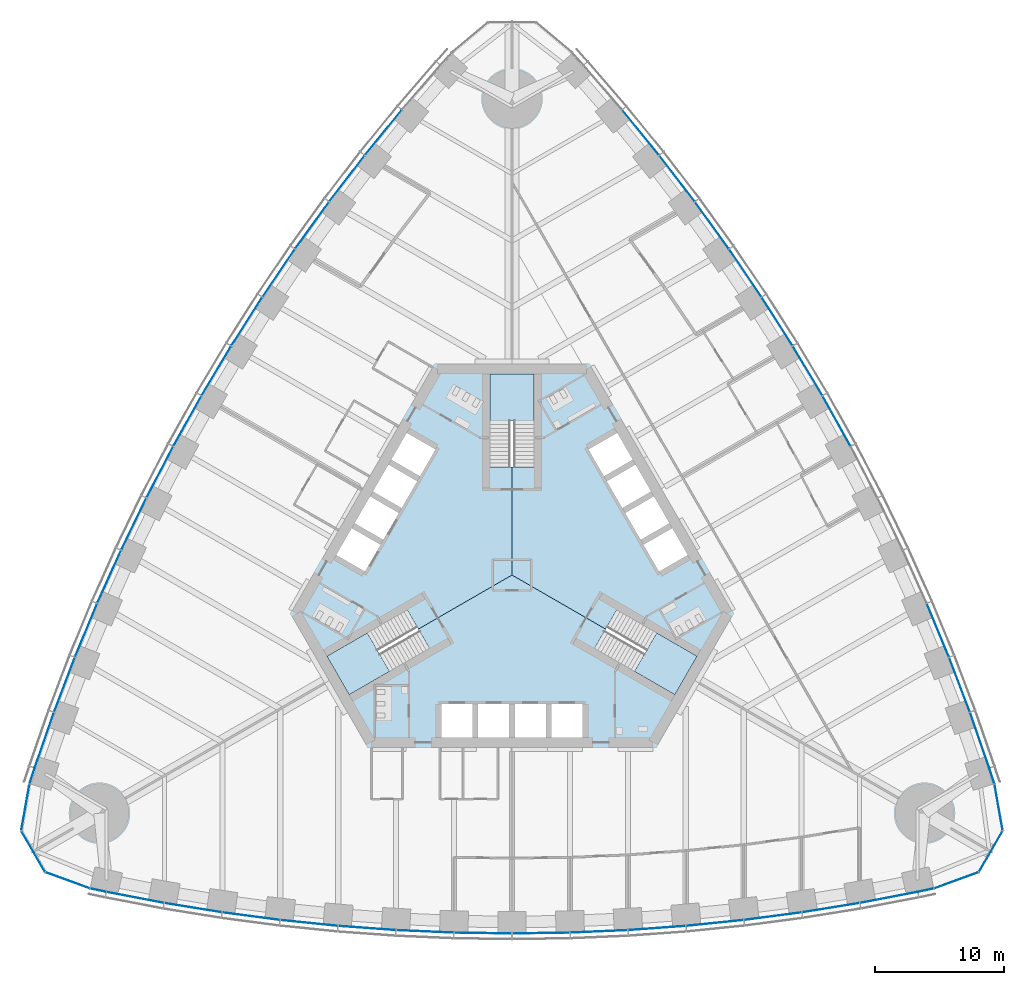
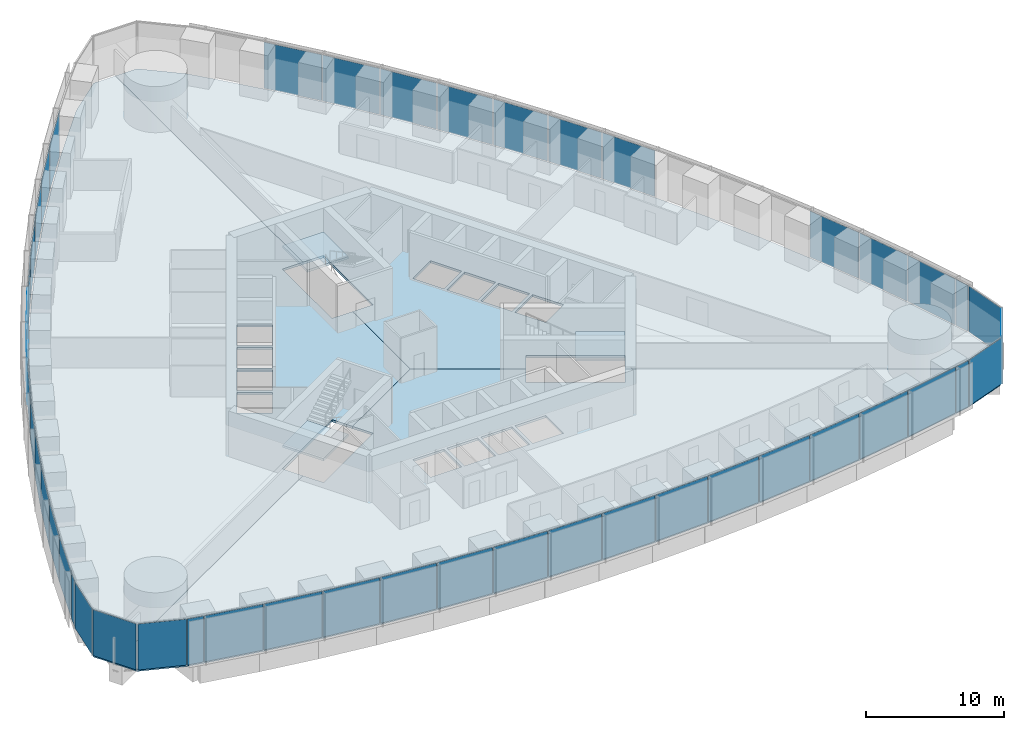
# One storey, part 8 of 18: 47 plates, 6 slabs, 8 elements without a shape of their own.
"""IFC4 building model written with IfcOpenShell, lengths in metres."""

from ifc_helpers import new_model, si_unit, direction, frame, origin, origin_2d, place, context, subcontext, project, spatial, polyline, rectangle, outline, extrude, material, layer, layer_set, type_object, element, aggregate, save


model = new_model("IFC4")

# Units and contexts
model_context = context("Model", 3, precision=1e-05, world=origin(), true_north=direction((0.0, 1.0)))
body_context = subcontext(model_context, "Body", "Model", "MODEL_VIEW")
ifc_project = project(units=[si_unit("LENGTHUNIT", "METRE"), si_unit("AREAUNIT", "SQUARE_METRE"), si_unit("VOLUMEUNIT", "CUBIC_METRE"), si_unit("PLANEANGLEUNIT", "RADIAN"), si_unit("MASSUNIT", "GRAM", prefix="KILO")], contexts=[model_context])

# Site, building, storey
site_placement = place(None, origin())
site = spatial("IfcSite", under=ifc_project, at=site_placement, CompositionType="ELEMENT")
building_placement = place(site_placement, origin())
building = spatial("IfcBuilding", under=site, at=building_placement, Name="Trefoil Bronze Tower", CompositionType="ELEMENT")
storey_placement = place(building_placement, frame((0.0, 0.0, 66.89990234375)))
storey = spatial("IfcBuildingStorey", under=building, at=storey_placement, Name="L15", CompositionType="ELEMENT", Elevation=66.89990234375)

# Curtain wall, plates
ifc_material_1 = material(Name="Tinted solar-control glass", Category="glass")
curtain_wall_type_1 = type_object("IfcCurtainWallType", Name="Bronze office curtain wall", PredefinedType="USERDEFINED", material=ifc_material_1)
curtain_wall_1_placement = place(storey_placement, origin())
curtain_wall_1 = element("IfcCurtainWall", 1, at=curtain_wall_1_placement, inside=storey, type_object=curtain_wall_type_1, Name="CW-A L15 F1", ObjectType="CURTAIN WALL", PredefinedType="USERDEFINED")
ifc_material_2 = material(Name="Tinted solar-control glass", Category="glass")
ifc_layer_1 = layer(ifc_material_2, 0.030029296875)
ifc_layer_set_1 = layer_set([ifc_layer_1], Name="Bronze office curtain wall glass panel")
plate_type_1 = type_object("IfcPlateType", Name="Bronze office curtain wall glass panel", PredefinedType="CURTAIN_PANEL", material=ifc_layer_set_1)
plate_1_placement = place(storey_placement, frame((-32.15185546875, -24.480224609375, 0.0), z_axis=(0.0, 0.0, 1.0), x_axis=(0.978302717041, -0.207180582657, 0.0)))
plate_1 = element("IfcPlate", 2, at=plate_1_placement, type_object=plate_type_1, Name="CW-A L15 F1 panel 1", PredefinedType="CURTAIN_PANEL", context=body_context, shape_type="SweptSolid", body=[
    extrude(rectangle(XDim=1.21044921875, YDim=0.030029296875, at=origin_2d()), origin(), (0.0, 0.0, 1.0), 4.080078125),
])
plate_2_placement = place(storey_placement, frame((-29.268798828125, -25.04638671875, 0.0), z_axis=(0.0, 0.0, 1.0), x_axis=(0.982049823817, -0.188621694249, 0.0)))
plate_2 = element("IfcPlate", 3, at=plate_2_placement, type_object=plate_type_1, Name="CW-A L15 F1 panel 2", PredefinedType="CURTAIN_PANEL", context=body_context, shape_type="SweptSolid", body=[
    extrude(rectangle(XDim=4.502197265625, YDim=0.030029296875, at=origin_2d()), origin(), (0.0, 0.0, 1.0), 4.080078125),
])
plate_3_placement = place(storey_placement, frame((-24.765869140625, -25.8427734375, 0.0), z_axis=(0.0, 0.0, 1.0), x_axis=(0.987181315145, -0.159602791421, 0.0)))
plate_3 = element("IfcPlate", 4, at=plate_3_placement, type_object=plate_type_1, Name="CW-A L15 F1 panel 3", PredefinedType="CURTAIN_PANEL", context=body_context, shape_type="SweptSolid", body=[
    extrude(rectangle(XDim=4.478515625, YDim=0.030029296875, at=origin_2d()), origin(), (0.0, 0.0, 1.0), 4.080078125),
])
plate_4_placement = place(storey_placement, frame((-20.262939453125, -26.50341796875, 0.0), z_axis=(0.0, 0.0, 1.0), x_axis=(0.991437251591, -0.130583981243, 0.0)))
plate_4 = element("IfcPlate", 5, at=plate_4_placement, type_object=plate_type_1, Name="CW-A L15 F1 panel 4", PredefinedType="CURTAIN_PANEL", context=body_context, shape_type="SweptSolid", body=[
    extrude(rectangle(XDim=4.458984375, YDim=0.030029296875, at=origin_2d()), origin(), (0.0, 0.0, 1.0), 4.080078125),
])
plate_5_placement = place(storey_placement, frame((-15.76025390625, -27.02978515625, 0.0), z_axis=(0.0, 0.0, 1.0), x_axis=(0.994828880293, -0.101565244717, 0.0)))
plate_5 = element("IfcPlate", 6, at=plate_5_placement, type_object=plate_type_1, Name="CW-A L15 F1 panel 5", PredefinedType="CURTAIN_PANEL", context=body_context, shape_type="SweptSolid", body=[
    extrude(rectangle(XDim=4.443359375, YDim=0.030029296875, at=origin_2d()), origin(), (0.0, 0.0, 1.0), 4.080078125),
])
plate_6_placement = place(storey_placement, frame((-11.25732421875, -27.42333984375, 0.0), z_axis=(0.0, 0.0, 1.0), x_axis=(0.99736502647, -0.072546564177, 0.0)))
plate_6 = element("IfcPlate", 7, at=plate_6_placement, type_object=plate_type_1, Name="CW-A L15 F1 panel 6", PredefinedType="CURTAIN_PANEL", context=body_context, shape_type="SweptSolid", body=[
    extrude(rectangle(XDim=4.431884765625, YDim=0.030029296875, at=origin_2d()), origin(), (0.0, 0.0, 1.0), 4.080078125),
])
plate_7_placement = place(storey_placement, frame((-6.75439453125, -27.685302734375, 0.0), z_axis=(0.0, 0.0, 1.0), x_axis=(0.999052210809, -0.043527922969, 0.0)))
plate_7 = element("IfcPlate", 8, at=plate_7_placement, type_object=plate_type_1, Name="CW-A L15 F1 panel 7", PredefinedType="CURTAIN_PANEL", context=body_context, shape_type="SweptSolid", body=[
    extrude(rectangle(XDim=4.42431640625, YDim=0.030029296875, at=origin_2d()), origin(), (0.0, 0.0, 1.0), 4.080078125),
])
plate_8_placement = place(storey_placement, frame((-2.25146484375, -27.816162109375, 0.0), z_axis=(0.0, 0.0, 1.0), x_axis=(0.999894734493, -0.014509305083, 0.0)))
plate_8 = element("IfcPlate", 9, at=plate_8_placement, type_object=plate_type_1, Name="CW-A L15 F1 panel 8", PredefinedType="CURTAIN_PANEL", context=body_context, shape_type="SweptSolid", body=[
    extrude(rectangle(XDim=4.42041015625, YDim=0.030029296875, at=origin_2d()), origin(), (0.0, 0.0, 1.0), 4.080078125),
])
plate_9_placement = place(storey_placement, frame((2.25146484375, -27.816162109375, 0.0), z_axis=(0.0, 0.0, 1.0), x_axis=(0.999894734493, 0.014509305083, 0.0)))
plate_9 = element("IfcPlate", 10, at=plate_9_placement, type_object=plate_type_1, Name="CW-A L15 F1 panel 9", PredefinedType="CURTAIN_PANEL", context=body_context, shape_type="SweptSolid", body=[
    extrude(rectangle(XDim=4.42041015625, YDim=0.030029296875, at=origin_2d()), origin(), (0.0, 0.0, 1.0), 4.080078125),
])
plate_10_placement = place(storey_placement, frame((6.75439453125, -27.685302734375, 0.0), z_axis=(0.0, 0.0, 1.0), x_axis=(0.999052210809, 0.043527922969, 0.0)))
plate_10 = element("IfcPlate", 11, at=plate_10_placement, type_object=plate_type_1, Name="CW-A L15 F1 panel 10", PredefinedType="CURTAIN_PANEL", context=body_context, shape_type="SweptSolid", body=[
    extrude(rectangle(XDim=4.42431640625, YDim=0.030029296875, at=origin_2d()), origin(), (0.0, 0.0, 1.0), 4.080078125),
])
plate_11_placement = place(storey_placement, frame((11.25732421875, -27.42333984375, 0.0), z_axis=(0.0, 0.0, 1.0), x_axis=(0.99736502647, 0.072546564177, 0.0)))
plate_11 = element("IfcPlate", 12, at=plate_11_placement, type_object=plate_type_1, Name="CW-A L15 F1 panel 11", PredefinedType="CURTAIN_PANEL", context=body_context, shape_type="SweptSolid", body=[
    extrude(rectangle(XDim=4.431884765625, YDim=0.030029296875, at=origin_2d()), origin(), (0.0, 0.0, 1.0), 4.080078125),
])
plate_12_placement = place(storey_placement, frame((15.76025390625, -27.02978515625, 0.0), z_axis=(0.0, 0.0, 1.0), x_axis=(0.994828880293, 0.101565244717, 0.0)))
plate_12 = element("IfcPlate", 13, at=plate_12_placement, type_object=plate_type_1, Name="CW-A L15 F1 panel 12", PredefinedType="CURTAIN_PANEL", context=body_context, shape_type="SweptSolid", body=[
    extrude(rectangle(XDim=4.443359375, YDim=0.030029296875, at=origin_2d()), origin(), (0.0, 0.0, 1.0), 4.080078125),
])
plate_13_placement = place(storey_placement, frame((20.262939453125, -26.50341796875, 0.0), z_axis=(0.0, 0.0, 1.0), x_axis=(0.991437251591, 0.130583981243, 0.0)))
plate_13 = element("IfcPlate", 14, at=plate_13_placement, type_object=plate_type_1, Name="CW-A L15 F1 panel 13", PredefinedType="CURTAIN_PANEL", context=body_context, shape_type="SweptSolid", body=[
    extrude(rectangle(XDim=4.458984375, YDim=0.030029296875, at=origin_2d()), origin(), (0.0, 0.0, 1.0), 4.080078125),
])
plate_14_placement = place(storey_placement, frame((24.765869140625, -25.8427734375, 0.0), z_axis=(0.0, 0.0, 1.0), x_axis=(0.987181315145, 0.159602791421, 0.0)))
plate_14 = element("IfcPlate", 15, at=plate_14_placement, type_object=plate_type_1, Name="CW-A L15 F1 panel 14", PredefinedType="CURTAIN_PANEL", context=body_context, shape_type="SweptSolid", body=[
    extrude(rectangle(XDim=4.478515625, YDim=0.030029296875, at=origin_2d()), origin(), (0.0, 0.0, 1.0), 4.080078125),
])
plate_15_placement = place(storey_placement, frame((29.268798828125, -25.04638671875, 0.0), z_axis=(0.0, 0.0, 1.0), x_axis=(0.982049823817, 0.188621694249, 0.0)))
plate_15 = element("IfcPlate", 16, at=plate_15_placement, type_object=plate_type_1, Name="CW-A L15 F1 panel 15", PredefinedType="CURTAIN_PANEL", context=body_context, shape_type="SweptSolid", body=[
    extrude(rectangle(XDim=4.502197265625, YDim=0.030029296875, at=origin_2d()), origin(), (0.0, 0.0, 1.0), 4.080078125),
])
plate_16_placement = place(storey_placement, frame((32.15185546875, -24.480224609375, 0.0), z_axis=(0.0, 0.0, 1.0), x_axis=(0.978302717041, 0.207180582657, 0.0)))
plate_16 = element("IfcPlate", 17, at=plate_16_placement, type_object=plate_type_1, Name="CW-A L15 F1 panel 16", PredefinedType="CURTAIN_PANEL", context=body_context, shape_type="SweptSolid", body=[
    extrude(rectangle(XDim=1.21044921875, YDim=0.030029296875, at=origin_2d()), origin(), (0.0, 0.0, 1.0), 4.080078125),
])
aggregate(curtain_wall_1, [plate_1, plate_2, plate_3, plate_4, plate_5, plate_6, plate_7, plate_8, plate_9, plate_10, plate_11, plate_12, plate_13, plate_14, plate_15, plate_16])

curtain_wall_2_placement = place(storey_placement, origin())
curtain_wall_2 = element("IfcCurtainWall", 18, at=curtain_wall_2_placement, inside=storey, type_object=curtain_wall_type_1, Name="CW-A L15 F2", ObjectType="CURTAIN WALL", PredefinedType="USERDEFINED")
plate_17_placement = place(storey_placement, frame((37.2763671875, -15.604248046875, 0.0), z_axis=(0.0, 0.0, 1.0), x_axis=(-0.309727710769, 0.950825296877, 0.0)))
plate_17 = element("IfcPlate", 19, at=plate_17_placement, type_object=plate_type_1, Name="CW-A L15 F2 panel 1", PredefinedType="CURTAIN_PANEL", context=body_context, shape_type="SweptSolid", body=[
    extrude(rectangle(XDim=1.21044921875, YDim=0.030029296875, at=origin_2d()), origin(), (0.0, 0.0, 1.0), 4.080078125),
])
plate_18_placement = place(storey_placement, frame((36.3251953125, -12.824462890625, 0.0), z_axis=(0.0, 0.0, 1.0), x_axis=(-0.327673732984, 0.944790942332, 0.0)))
plate_18 = element("IfcPlate", 20, at=plate_18_placement, type_object=plate_type_1, Name="CW-A L15 F2 panel 2", PredefinedType="CURTAIN_PANEL", context=body_context, shape_type="SweptSolid", body=[
    extrude(rectangle(XDim=4.502197265625, YDim=0.030029296875, at=origin_2d()), origin(), (0.0, 0.0, 1.0), 4.080078125),
])
plate_19_placement = place(storey_placement, frame((34.763427734375, -8.526611328125, 0.0), z_axis=(0.0, 0.0, 1.0), x_axis=(-0.355370585687, 0.934725492767, 0.0)))
plate_19 = element("IfcPlate", 21, at=plate_19_placement, type_object=plate_type_1, Name="CW-A L15 F2 panel 3", PredefinedType="CURTAIN_PANEL", context=body_context, shape_type="SweptSolid", body=[
    extrude(rectangle(XDim=4.478515625, YDim=0.030029296875, at=origin_2d()), origin(), (0.0, 0.0, 1.0), 4.080078125),
])
plate_20_placement = place(storey_placement, frame((33.084228515625, -4.296630859375, 0.0), z_axis=(0.0, 0.0, 1.0), x_axis=(-0.382629580712, 0.923901836758, 0.0)))
plate_20 = element("IfcPlate", 22, at=plate_20_placement, type_object=plate_type_1, Name="CW-A L15 F2 panel 4", PredefinedType="CURTAIN_PANEL", context=body_context, shape_type="SweptSolid", body=[
    extrude(rectangle(XDim=4.458984375, YDim=0.030029296875, at=origin_2d()), origin(), (0.0, 0.0, 1.0), 4.080078125),
])
plate_21_placement = place(storey_placement, frame((25.215087890625, 11.958251953125, 0.0), z_axis=(0.0, 0.0, 1.0), x_axis=(-0.487381940453, 0.873188893722, 0.0)))
plate_21 = element("IfcPlate", 23, at=plate_21_placement, type_object=plate_type_1, Name="CW-A L15 F2 panel 8", PredefinedType="CURTAIN_PANEL", context=body_context, shape_type="SweptSolid", body=[
    extrude(rectangle(XDim=4.42041015625, YDim=0.030029296875, at=origin_2d()), origin(), (0.0, 0.0, 1.0), 4.080078125),
])
plate_22_placement = place(storey_placement, frame((22.963623046875, 15.85791015625, 0.0), z_axis=(0.0, 0.0, 1.0), x_axis=(-0.51251279404, 0.858679588639, 0.0)))
plate_22 = element("IfcPlate", 24, at=plate_22_placement, type_object=plate_type_1, Name="CW-A L15 F2 panel 9", PredefinedType="CURTAIN_PANEL", context=body_context, shape_type="SweptSolid", body=[
    extrude(rectangle(XDim=4.42041015625, YDim=0.030029296875, at=origin_2d()), origin(), (0.0, 0.0, 1.0), 4.080078125),
])
plate_23_placement = place(storey_placement, frame((20.598876953125, 19.692138671875, 0.0), z_axis=(0.0, 0.0, 1.0), x_axis=(-0.537222392469, 0.843440632783, 0.0)))
plate_23 = element("IfcPlate", 25, at=plate_23_placement, type_object=plate_type_1, Name="CW-A L15 F2 panel 10", PredefinedType="CURTAIN_PANEL", context=body_context, shape_type="SweptSolid", body=[
    extrude(rectangle(XDim=4.42431640625, YDim=0.030029296875, at=origin_2d()), origin(), (0.0, 0.0, 1.0), 4.080078125),
])
plate_24_placement = place(storey_placement, frame((18.120849609375, 23.460693359375, 0.0), z_axis=(0.0, 0.0, 1.0), x_axis=(-0.56150968077, 0.827470167681, 0.0)))
plate_24 = element("IfcPlate", 26, at=plate_24_placement, type_object=plate_type_1, Name="CW-A L15 F2 panel 11", PredefinedType="CURTAIN_PANEL", context=body_context, shape_type="SweptSolid", body=[
    extrude(rectangle(XDim=4.431884765625, YDim=0.030029296875, at=origin_2d()), origin(), (0.0, 0.0, 1.0), 4.080078125),
])
plate_25_placement = place(storey_placement, frame((15.5283203125, 27.16357421875, 0.0), z_axis=(0.0, 0.0, 1.0), x_axis=(-0.585372522213, 0.810764460394, 0.0)))
plate_25 = element("IfcPlate", 27, at=plate_25_placement, type_object=plate_type_1, Name="CW-A L15 F2 panel 12", PredefinedType="CURTAIN_PANEL", context=body_context, shape_type="SweptSolid", body=[
    extrude(rectangle(XDim=4.443359375, YDim=0.030029296875, at=origin_2d()), origin(), (0.0, 0.0, 1.0), 4.080078125),
])
plate_26_placement = place(storey_placement, frame((12.821044921875, 30.800048828125, 0.0), z_axis=(0.0, 0.0, 1.0), x_axis=(-0.608807670879, 0.793317855515, 0.0)))
plate_26 = element("IfcPlate", 28, at=plate_26_placement, type_object=plate_type_1, Name="CW-A L15 F2 panel 13", PredefinedType="CURTAIN_PANEL", context=body_context, shape_type="SweptSolid", body=[
    extrude(rectangle(XDim=4.458984375, YDim=0.030029296875, at=origin_2d()), origin(), (0.0, 0.0, 1.0), 4.080078125),
])
plate_27_placement = place(storey_placement, frame((9.99755859375, 34.369384765625, 0.0), z_axis=(0.0, 0.0, 1.0), x_axis=(-0.631810729457, 0.775122701346, 0.0)))
plate_27 = element("IfcPlate", 29, at=plate_27_placement, type_object=plate_type_1, Name="CW-A L15 F2 panel 14", PredefinedType="CURTAIN_PANEL", context=body_context, shape_type="SweptSolid", body=[
    extrude(rectangle(XDim=4.478515625, YDim=0.030029296875, at=origin_2d()), origin(), (0.0, 0.0, 1.0), 4.080078125),
])
aggregate(curtain_wall_2, [plate_17, plate_18, plate_19, plate_20, plate_21, plate_22, plate_23, plate_24, plate_25, plate_26, plate_27])

curtain_wall_3_placement = place(storey_placement, origin())
curtain_wall_3 = element("IfcCurtainWall", 30, at=curtain_wall_3_placement, inside=storey, type_object=curtain_wall_type_1, Name="CW-A L15 F3", ObjectType="CURTAIN WALL", PredefinedType="USERDEFINED")
plate_28_placement = place(storey_placement, frame((-9.99755859375, 34.369384765625, 0.0), z_axis=(0.0, 0.0, 1.0), x_axis=(-0.631810729457, -0.775122701346, 0.0)))
plate_28 = element("IfcPlate", 31, at=plate_28_placement, type_object=plate_type_1, Name="CW-A L15 F3 panel 3", PredefinedType="CURTAIN_PANEL", context=body_context, shape_type="SweptSolid", body=[
    extrude(rectangle(XDim=4.478515625, YDim=0.030029296875, at=origin_2d()), origin(), (0.0, 0.0, 1.0), 4.080078125),
])
plate_29_placement = place(storey_placement, frame((-12.821044921875, 30.800048828125, 0.0), z_axis=(0.0, 0.0, 1.0), x_axis=(-0.608807670879, -0.793317855515, 0.0)))
plate_29 = element("IfcPlate", 32, at=plate_29_placement, type_object=plate_type_1, Name="CW-A L15 F3 panel 4", PredefinedType="CURTAIN_PANEL", context=body_context, shape_type="SweptSolid", body=[
    extrude(rectangle(XDim=4.458984375, YDim=0.030029296875, at=origin_2d()), origin(), (0.0, 0.0, 1.0), 4.080078125),
])
plate_30_placement = place(storey_placement, frame((-15.5283203125, 27.16357421875, 0.0), z_axis=(0.0, 0.0, 1.0), x_axis=(-0.585372522213, -0.810764460394, 0.0)))
plate_30 = element("IfcPlate", 33, at=plate_30_placement, type_object=plate_type_1, Name="CW-A L15 F3 panel 5", PredefinedType="CURTAIN_PANEL", context=body_context, shape_type="SweptSolid", body=[
    extrude(rectangle(XDim=4.443359375, YDim=0.030029296875, at=origin_2d()), origin(), (0.0, 0.0, 1.0), 4.080078125),
])
plate_31_placement = place(storey_placement, frame((-18.120849609375, 23.460693359375, 0.0), z_axis=(0.0, 0.0, 1.0), x_axis=(-0.56150968077, -0.827470167681, 0.0)))
plate_31 = element("IfcPlate", 34, at=plate_31_placement, type_object=plate_type_1, Name="CW-A L15 F3 panel 6", PredefinedType="CURTAIN_PANEL", context=body_context, shape_type="SweptSolid", body=[
    extrude(rectangle(XDim=4.431884765625, YDim=0.030029296875, at=origin_2d()), origin(), (0.0, 0.0, 1.0), 4.080078125),
])
plate_32_placement = place(storey_placement, frame((-20.598876953125, 19.692138671875, 0.0), z_axis=(0.0, 0.0, 1.0), x_axis=(-0.537222392469, -0.843440632783, 0.0)))
plate_32 = element("IfcPlate", 35, at=plate_32_placement, type_object=plate_type_1, Name="CW-A L15 F3 panel 7", PredefinedType="CURTAIN_PANEL", context=body_context, shape_type="SweptSolid", body=[
    extrude(rectangle(XDim=4.42431640625, YDim=0.030029296875, at=origin_2d()), origin(), (0.0, 0.0, 1.0), 4.080078125),
])
plate_33_placement = place(storey_placement, frame((-22.963623046875, 15.85791015625, 0.0), z_axis=(0.0, 0.0, 1.0), x_axis=(-0.51251279404, -0.858679588639, 0.0)))
plate_33 = element("IfcPlate", 36, at=plate_33_placement, type_object=plate_type_1, Name="CW-A L15 F3 panel 8", PredefinedType="CURTAIN_PANEL", context=body_context, shape_type="SweptSolid", body=[
    extrude(rectangle(XDim=4.42041015625, YDim=0.030029296875, at=origin_2d()), origin(), (0.0, 0.0, 1.0), 4.080078125),
])
plate_34_placement = place(storey_placement, frame((-25.215087890625, 11.958251953125, 0.0), z_axis=(0.0, 0.0, 1.0), x_axis=(-0.487381940453, -0.873188893722, 0.0)))
plate_34 = element("IfcPlate", 37, at=plate_34_placement, type_object=plate_type_1, Name="CW-A L15 F3 panel 9", PredefinedType="CURTAIN_PANEL", context=body_context, shape_type="SweptSolid", body=[
    extrude(rectangle(XDim=4.42041015625, YDim=0.030029296875, at=origin_2d()), origin(), (0.0, 0.0, 1.0), 4.080078125),
])
plate_35_placement = place(storey_placement, frame((-27.353271484375, 7.9931640625, 0.0), z_axis=(0.0, 0.0, 1.0), x_axis=(-0.46182981834, -0.886968555752, 0.0)))
plate_35 = element("IfcPlate", 38, at=plate_35_placement, type_object=plate_type_1, Name="CW-A L15 F3 panel 10", PredefinedType="CURTAIN_PANEL", context=body_context, shape_type="SweptSolid", body=[
    extrude(rectangle(XDim=4.42431640625, YDim=0.030029296875, at=origin_2d()), origin(), (0.0, 0.0, 1.0), 4.080078125),
])
plate_36_placement = place(storey_placement, frame((-29.3779296875, 3.962646484375, 0.0), z_axis=(0.0, 0.0, 1.0), x_axis=(-0.4358553457, -0.900016731858, 0.0)))
plate_36 = element("IfcPlate", 39, at=plate_36_placement, type_object=plate_type_1, Name="CW-A L15 F3 panel 11", PredefinedType="CURTAIN_PANEL", context=body_context, shape_type="SweptSolid", body=[
    extrude(rectangle(XDim=4.431884765625, YDim=0.030029296875, at=origin_2d()), origin(), (0.0, 0.0, 1.0), 4.080078125),
])
plate_37_placement = place(storey_placement, frame((-31.28857421875, -0.1337890625, 0.0), z_axis=(0.0, 0.0, 1.0), x_axis=(-0.40945635808, -0.912329705111, 0.0)))
plate_37 = element("IfcPlate", 40, at=plate_37_placement, type_object=plate_type_1, Name="CW-A L15 F3 panel 12", PredefinedType="CURTAIN_PANEL", context=body_context, shape_type="SweptSolid", body=[
    extrude(rectangle(XDim=4.443359375, YDim=0.030029296875, at=origin_2d()), origin(), (0.0, 0.0, 1.0), 4.080078125),
])
plate_38_placement = place(storey_placement, frame((-33.084228515625, -4.296630859375, 0.0), z_axis=(0.0, 0.0, 1.0), x_axis=(-0.382629580712, -0.923901836758, 0.0)))
plate_38 = element("IfcPlate", 41, at=plate_38_placement, type_object=plate_type_1, Name="CW-A L15 F3 panel 13", PredefinedType="CURTAIN_PANEL", context=body_context, shape_type="SweptSolid", body=[
    extrude(rectangle(XDim=4.458984375, YDim=0.030029296875, at=origin_2d()), origin(), (0.0, 0.0, 1.0), 4.080078125),
])
plate_39_placement = place(storey_placement, frame((-34.763427734375, -8.526611328125, 0.0), z_axis=(0.0, 0.0, 1.0), x_axis=(-0.355370585687, -0.934725492767, 0.0)))
plate_39 = element("IfcPlate", 42, at=plate_39_placement, type_object=plate_type_1, Name="CW-A L15 F3 panel 14", PredefinedType="CURTAIN_PANEL", context=body_context, shape_type="SweptSolid", body=[
    extrude(rectangle(XDim=4.478515625, YDim=0.030029296875, at=origin_2d()), origin(), (0.0, 0.0, 1.0), 4.080078125),
])
plate_40_placement = place(storey_placement, frame((-36.3251953125, -12.824462890625, 0.0), z_axis=(0.0, 0.0, 1.0), x_axis=(-0.327673732984, -0.944790942332, 0.0)))
plate_40 = element("IfcPlate", 43, at=plate_40_placement, type_object=plate_type_1, Name="CW-A L15 F3 panel 15", PredefinedType="CURTAIN_PANEL", context=body_context, shape_type="SweptSolid", body=[
    extrude(rectangle(XDim=4.502197265625, YDim=0.030029296875, at=origin_2d()), origin(), (0.0, 0.0, 1.0), 4.080078125),
])
plate_41_placement = place(storey_placement, frame((-37.2763671875, -15.604248046875, 0.0), z_axis=(0.0, 0.0, 1.0), x_axis=(-0.309727710769, -0.950825296877, 0.0)))
plate_41 = element("IfcPlate", 44, at=plate_41_placement, type_object=plate_type_1, Name="CW-A L15 F3 panel 16", PredefinedType="CURTAIN_PANEL", context=body_context, shape_type="SweptSolid", body=[
    extrude(rectangle(XDim=1.21044921875, YDim=0.030029296875, at=origin_2d()), origin(), (0.0, 0.0, 1.0), 4.080078125),
])
aggregate(curtain_wall_3, [plate_28, plate_29, plate_30, plate_31, plate_32, plate_33, plate_34, plate_35, plate_36, plate_37, plate_38, plate_39, plate_40, plate_41])

ifc_material_3 = material(Name="Tinted solar-control glass", Category="glass")
curtain_wall_type_2 = type_object("IfcCurtainWallType", Name="Bronze rounded corner curtain wall", PredefinedType="USERDEFINED", material=ifc_material_3)
curtain_wall_4_placement = place(storey_placement, origin())
curtain_wall_4 = element("IfcCurtainWall", 45, at=curtain_wall_4_placement, inside=storey, type_object=curtain_wall_type_2, Name="CW-B L15 K1", ObjectType="CURTAIN WALL", PredefinedType="USERDEFINED")
ifc_material_4 = material(Name="Tinted solar-control glass", Category="glass")
ifc_layer_2 = layer(ifc_material_4, 0.030029296875)
ifc_layer_set_2 = layer_set([ifc_layer_2], Name="Bronze rounded corner curtain wall glass panel")
plate_type_2 = type_object("IfcPlateType", Name="Bronze rounded corner curtain wall glass panel", PredefinedType="CURTAIN_PANEL", material=ifc_layer_set_2)
plate_42_placement = place(storey_placement, frame((34.5107421875, -23.71875, 0.0), z_axis=(0.0, 0.0, 1.0), x_axis=(0.939692620786, 0.342020143326, 0.0)))
plate_42 = element("IfcPlate", 46, at=plate_42_placement, type_object=plate_type_2, Name="CW-B L15 K1 panel 1", PredefinedType="CURTAIN_PANEL", context=body_context, shape_type="SweptSolid", body=[
    extrude(rectangle(XDim=3.588134765625, YDim=0.030029296875, at=origin_2d()), origin(), (0.0, 0.0, 1.0), 4.080078125),
])
plate_43_placement = place(storey_placement, frame((37.189208984375, -21.47119140625, 0.0), z_axis=(0.0, 0.0, 1.0), x_axis=(0.5, 0.866025403784, 0.0)))
plate_43 = element("IfcPlate", 47, at=plate_43_placement, type_object=plate_type_2, Name="CW-B L15 K1 panel 2", PredefinedType="CURTAIN_PANEL", context=body_context, shape_type="SweptSolid", body=[
    extrude(rectangle(XDim=3.588134765625, YDim=0.030029296875, at=origin_2d()), origin(), (0.0, 0.0, 1.0), 4.080078125),
])
plate_44_placement = place(storey_placement, frame((37.79638671875, -18.02783203125, 0.0), z_axis=(0.0, 0.0, 1.0), x_axis=(-0.173648177667, 0.984807753012, 0.0)))
plate_44 = element("IfcPlate", 48, at=plate_44_placement, type_object=plate_type_2, Name="CW-B L15 K1 panel 3", PredefinedType="CURTAIN_PANEL", context=body_context, shape_type="SweptSolid", body=[
    extrude(rectangle(XDim=3.588134765625, YDim=0.030029296875, at=origin_2d()), origin(), (0.0, 0.0, 1.0), 4.080078125),
])
aggregate(curtain_wall_4, [plate_42, plate_43, plate_44])

curtain_wall_5_placement = place(storey_placement, origin())
curtain_wall_5 = element("IfcCurtainWall", 49, at=curtain_wall_5_placement, inside=storey, type_object=curtain_wall_type_2, Name="CW-B L15 K3", ObjectType="CURTAIN WALL", PredefinedType="USERDEFINED")
plate_45_placement = place(storey_placement, frame((-37.79638671875, -18.02783203125, 0.0), z_axis=(0.0, 0.0, 1.0), x_axis=(-0.173648177667, -0.984807753012, 0.0)))
plate_45 = element("IfcPlate", 50, at=plate_45_placement, type_object=plate_type_2, Name="CW-B L15 K3 panel 1", PredefinedType="CURTAIN_PANEL", context=body_context, shape_type="SweptSolid", body=[
    extrude(rectangle(XDim=3.588134765625, YDim=0.030029296875, at=origin_2d()), origin(), (0.0, 0.0, 1.0), 4.080078125),
])
plate_46_placement = place(storey_placement, frame((-37.189208984375, -21.47119140625, 0.0), z_axis=(0.0, 0.0, 1.0), x_axis=(0.5, -0.866025403784, 0.0)))
plate_46 = element("IfcPlate", 51, at=plate_46_placement, type_object=plate_type_2, Name="CW-B L15 K3 panel 2", PredefinedType="CURTAIN_PANEL", context=body_context, shape_type="SweptSolid", body=[
    extrude(rectangle(XDim=3.588134765625, YDim=0.030029296875, at=origin_2d()), origin(), (0.0, 0.0, 1.0), 4.080078125),
])
plate_47_placement = place(storey_placement, frame((-34.5107421875, -23.71875, 0.0), z_axis=(0.0, 0.0, 1.0), x_axis=(0.939692620786, -0.342020143326, 0.0)))
plate_47 = element("IfcPlate", 52, at=plate_47_placement, type_object=plate_type_2, Name="CW-B L15 K3 panel 3", PredefinedType="CURTAIN_PANEL", context=body_context, shape_type="SweptSolid", body=[
    extrude(rectangle(XDim=3.588134765625, YDim=0.030029296875, at=origin_2d()), origin(), (0.0, 0.0, 1.0), 4.080078125),
])
aggregate(curtain_wall_5, [plate_45, plate_46, plate_47])

# Slabs
ifc_material_5 = material(Name="Concrete B30", Category="concrete")
ifc_layer_3 = layer(ifc_material_5, 0.199951171875)
ifc_layer_set_3 = layer_set([ifc_layer_3], Name="Floor slab 200")
slab_type_1 = type_object("IfcSlabType", Name="Floor slab 200", PredefinedType="FLOOR", material=ifc_layer_set_3)
slab_1_placement = place(storey_placement, frame((0.0, 0.0, -0.199951171875)))
element("IfcSlab", 53, at=slab_1_placement, inside=storey, type_object=slab_type_1, Name="Floor slab L15 face 1", PredefinedType="FLOOR", context=body_context, shape_type="SweptSolid", body=[
    extrude(outline(polyline([(27.0, -25.38037109375), (22.5, -26.10791015625), (18.0, -26.70068359375), (13.5, -27.159912109375), (9.0, -27.4873046875), (4.5, -27.683349609375), (0.0, -27.748779296875), (-4.5, -27.683349609375), (-9.0, -27.4873046875), (-13.5, -27.159912109375), (-18.0, -26.70068359375), (-22.5, -26.10791015625), (-27.0, -25.38037109375), (-31.5, -24.51611328125), (-32.762451171875, -24.248779296875), (-36.190673828125, -23.0009765625), (-37.1025390625, -21.421142578125), (-13.510009765625, -7.800048828125), (-12.6474609375, -9.2939453125), (-6.412109375, -5.69384765625), (-7.274658203125, -4.199951171875), (0.0, 0.0), (7.274658203125, -4.199951171875), (6.412109375, -5.69384765625), (12.6474609375, -9.2939453125), (13.510009765625, -7.800048828125), (37.1025390625, -21.421142578125), (36.190673828125, -23.0009765625), (32.762451171875, -24.248779296875), (31.5, -24.51611328125), (27.0, -25.38037109375)]), holes=[polyline([(-5.574951171875, -10.02490234375), (-2.97509765625, -10.02490234375), (-2.97509765625, -12.60009765625), (-5.574951171875, -12.60009765625), (-5.574951171875, -10.02490234375)]), polyline([(-2.72509765625, -10.02490234375), (-0.125, -10.02490234375), (-0.125, -12.60009765625), (-2.72509765625, -12.60009765625), (-2.72509765625, -10.02490234375)]), polyline([(0.125, -10.02490234375), (2.72509765625, -10.02490234375), (2.72509765625, -12.60009765625), (0.125, -12.60009765625), (0.125, -10.02490234375)]), polyline([(2.97509765625, -10.02490234375), (5.574951171875, -10.02490234375), (5.574951171875, -12.60009765625), (2.97509765625, -12.60009765625), (2.97509765625, -10.02490234375)])]), origin(), (0.0, 0.0, 1.0), 0.199951171875),
])
slab_2_placement = place(storey_placement, frame((0.0, 0.0, -0.199951171875)))
element("IfcSlab", 54, at=slab_2_placement, inside=storey, type_object=slab_type_1, Name="Floor slab L15 face 2", PredefinedType="FLOOR", context=body_context, shape_type="SweptSolid", body=[
    extrude(outline(polyline([(8.47998046875, 36.07275390625), (11.360107421875, 32.53955078125), (14.123291015625, 28.938720703125), (16.771240234375, 25.271240234375), (19.3046875, 21.537841796875), (21.724609375, 17.73876953125), (24.031005859375, 13.874267578125), (26.224609375, 9.944580078125), (28.3046875, 5.949462890625), (30.271240234375, 1.888671875), (32.123291015625, -2.238037109375), (33.860107421875, -6.431640625), (35.47998046875, -10.6923828125), (36.9814453125, -15.021728515625), (37.381103515625, -16.248779296875), (38.0146484375, -19.841552734375), (37.1025390625, -21.421142578125), (13.510009765625, -7.800048828125), (14.37255859375, -6.30615234375), (8.13720703125, -2.7060546875), (7.274658203125, -4.199951171875), (0.0, 0.0), (0.0, 8.39990234375), (1.72509765625, 8.39990234375), (1.72509765625, 15.60009765625), (0.0, 15.60009765625), (0.0, 42.842529296875), (1.82421875, 42.842529296875), (4.618896484375, 40.497314453125), (5.4814453125, 39.537841796875), (8.47998046875, 36.07275390625)]), holes=[polyline([(11.469482421875, 0.184326171875), (10.16943359375, 2.43603515625), (12.3994140625, 3.7236328125), (13.699462890625, 1.471923828125), (11.469482421875, 0.184326171875)]), polyline([(10.04443359375, 2.652587890625), (8.744384765625, 4.904296875), (10.974365234375, 6.191650390625), (12.2744140625, 3.940185546875), (10.04443359375, 2.652587890625)]), polyline([(8.619384765625, 5.120849609375), (7.3193359375, 7.372314453125), (9.54931640625, 8.659912109375), (10.849365234375, 6.408203125), (8.619384765625, 5.120849609375)]), polyline([(7.1943359375, 7.5888671875), (5.894287109375, 9.840576171875), (8.12451171875, 11.128173828125), (9.42431640625, 8.87646484375), (7.1943359375, 7.5888671875)])]), origin(), (0.0, 0.0, 1.0), 0.199951171875),
])
slab_3_placement = place(storey_placement, frame((0.0, 0.0, -0.199951171875)))
element("IfcSlab", 55, at=slab_3_placement, inside=storey, type_object=slab_type_1, Name="Floor slab L15 face 3", PredefinedType="FLOOR", context=body_context, shape_type="SweptSolid", body=[
    extrude(outline(polyline([(-35.47998046875, -10.6923828125), (-33.860107421875, -6.431640625), (-32.123291015625, -2.238037109375), (-30.271240234375, 1.888671875), (-28.3046875, 5.949462890625), (-26.224609375, 9.944580078125), (-24.031005859375, 13.874267578125), (-21.724609375, 17.73876953125), (-19.3046875, 21.537841796875), (-16.771240234375, 25.271240234375), (-14.123291015625, 28.938720703125), (-11.360107421875, 32.53955078125), (-8.47998046875, 36.07275390625), (-5.4814453125, 39.537841796875), (-4.618896484375, 40.497314453125), (-1.82421875, 42.842529296875), (0.0, 42.842529296875), (0.0, 15.60009765625), (-1.72509765625, 15.60009765625), (-1.72509765625, 8.39990234375), (0.0, 8.39990234375), (0.0, 0.0), (-7.274658203125, -4.199951171875), (-8.13720703125, -2.7060546875), (-14.37255859375, -6.30615234375), (-13.510009765625, -7.800048828125), (-37.1025390625, -21.421142578125), (-38.0146484375, -19.841552734375), (-37.381103515625, -16.248779296875), (-36.9814453125, -15.021728515625), (-35.47998046875, -10.6923828125)]), holes=[polyline([(-5.894287109375, 9.840576171875), (-7.1943359375, 7.5888671875), (-9.42431640625, 8.87646484375), (-8.12451171875, 11.128173828125), (-5.894287109375, 9.840576171875)]), polyline([(-7.3193359375, 7.372314453125), (-8.619384765625, 5.120849609375), (-10.849365234375, 6.408203125), (-9.54931640625, 8.659912109375), (-7.3193359375, 7.372314453125)]), polyline([(-8.744384765625, 4.904296875), (-10.04443359375, 2.652587890625), (-12.2744140625, 3.940185546875), (-10.974365234375, 6.191650390625), (-8.744384765625, 4.904296875)]), polyline([(-10.16943359375, 2.43603515625), (-11.469482421875, 0.184326171875), (-13.699462890625, 1.471923828125), (-12.3994140625, 3.7236328125), (-10.16943359375, 2.43603515625)])]), origin(), (0.0, 0.0, 1.0), 0.199951171875),
])

# Stair, slab
ifc_material_6 = material(Name="Precast concrete B80", Category="concrete")
stair_type = type_object("IfcStairType", Name="Exit stair 26 risers", PredefinedType="HALF_TURN_STAIR", material=ifc_material_6)
stair_1_placement = place(storey_placement, origin())
stair_1 = element("IfcStair", 56, at=stair_1_placement, inside=storey, type_object=stair_type, Name="Stair ST1 L15", PredefinedType="HALF_TURN_STAIR")
ifc_material_7 = material(Name="Concrete B30", Category="concrete")
ifc_layer_4 = layer(ifc_material_7, 0.199951171875)
ifc_layer_set_4 = layer_set([ifc_layer_4], Name="Stair landing 200")
slab_type_2 = type_object("IfcSlabType", Name="Stair landing 200", PredefinedType="LANDING", material=ifc_layer_set_4)
slab_4_placement = place(storey_placement, frame((0.0, 0.0, 1.900146484375)))
slab_4 = element("IfcSlab", 57, at=slab_4_placement, type_object=slab_type_2, Name="ST1 landing 1", PredefinedType="LANDING", context=body_context, shape_type="SweptSolid", body=[
    extrude(outline(polyline([(9.512451171875, -7.48388671875), (12.6474609375, -9.2939453125), (14.37255859375, -6.30615234375), (11.237548828125, -4.49609375), (9.512451171875, -7.48388671875)])), origin(), (0.0, 0.0, 1.0), 0.199951171875),
])
aggregate(stair_1, [slab_4])

stair_2_placement = place(storey_placement, origin())
stair_2 = element("IfcStair", 58, at=stair_2_placement, inside=storey, type_object=stair_type, Name="Stair ST2 L15", PredefinedType="HALF_TURN_STAIR")
slab_5_placement = place(storey_placement, frame((0.0, 0.0, 1.900146484375)))
slab_5 = element("IfcSlab", 59, at=slab_5_placement, type_object=slab_type_2, Name="ST2 landing 1", PredefinedType="LANDING", context=body_context, shape_type="SweptSolid", body=[
    extrude(outline(polyline([(1.72509765625, 11.97998046875), (1.72509765625, 15.60009765625), (-1.72509765625, 15.60009765625), (-1.72509765625, 11.97998046875), (1.72509765625, 11.97998046875)])), origin(), (0.0, 0.0, 1.0), 0.199951171875),
])
aggregate(stair_2, [slab_5])

stair_3_placement = place(storey_placement, origin())
stair_3 = element("IfcStair", 60, at=stair_3_placement, inside=storey, type_object=stair_type, Name="Stair ST3 L15", PredefinedType="HALF_TURN_STAIR")
slab_6_placement = place(storey_placement, frame((0.0, 0.0, 1.900146484375)))
slab_6 = element("IfcSlab", 61, at=slab_6_placement, type_object=slab_type_2, Name="ST3 landing 1", PredefinedType="LANDING", context=body_context, shape_type="SweptSolid", body=[
    extrude(outline(polyline([(-11.237548828125, -4.49609375), (-14.37255859375, -6.30615234375), (-12.6474609375, -9.2939453125), (-9.512451171875, -7.48388671875), (-11.237548828125, -4.49609375)])), origin(), (0.0, 0.0, 1.0), 0.199951171875),
])
aggregate(stair_3, [slab_6])

save(model, "model.ifc")
